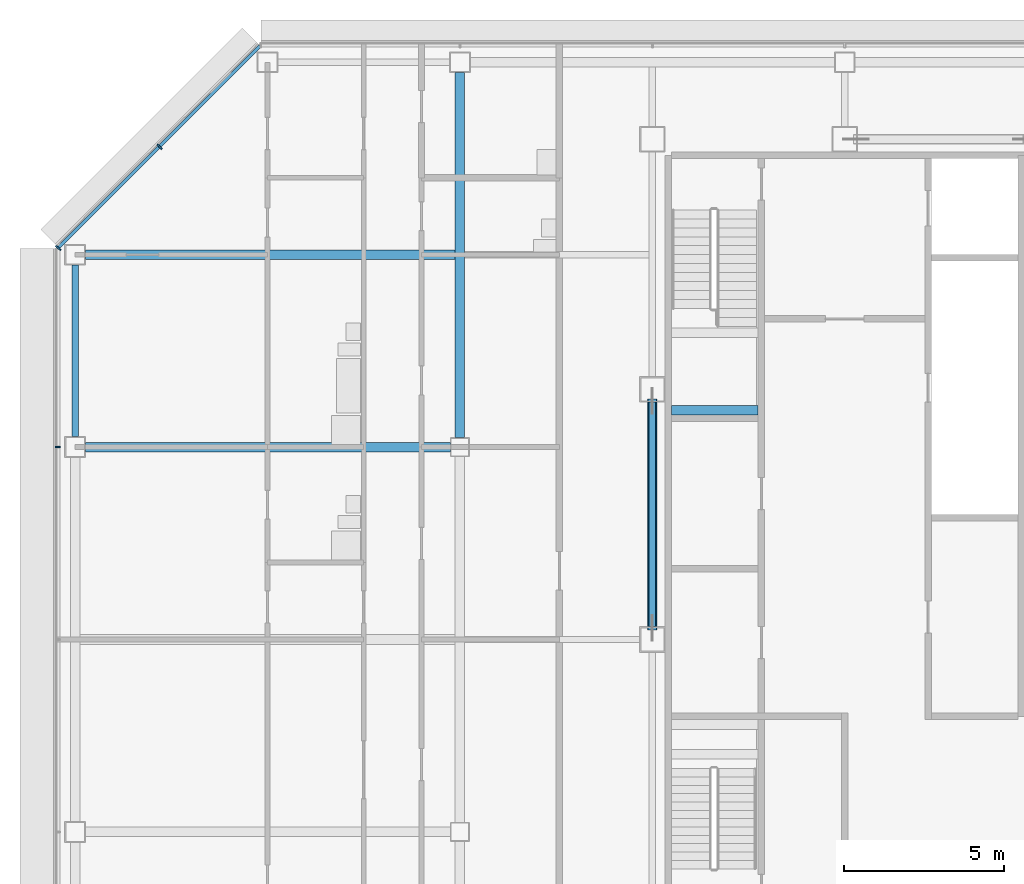
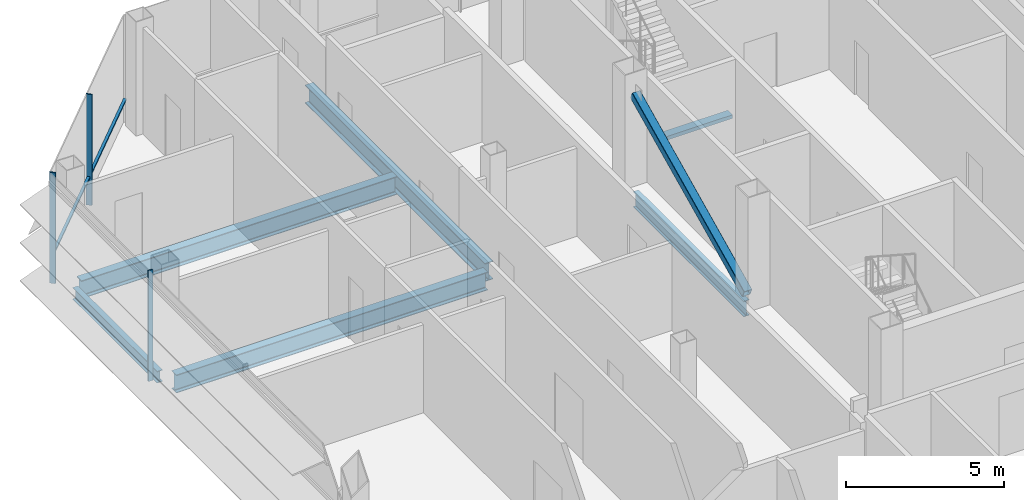
# One storey, part 12 of 30: 6 beams, 5 members, 2 elements without a shape of their own.
"""IFC4 building model written with IfcOpenShell, lengths in metres."""

from ifc_helpers import new_model, si_unit, direction, frame, origin, origin_2d, place, context, subcontext, project, spatial, rectangle, hollow_rectangle, i_section, extrude, material, material_profile, profile_set, type_object, element, aggregate, save


model = new_model("IFC4")

# Units and contexts
model_context = context("Model", 3, precision=1e-05, world=origin(), true_north=direction((0.0, 1.0)))
body_context = subcontext(model_context, "Body", "Model", "MODEL_VIEW")
ifc_project = project(units=[si_unit("LENGTHUNIT", "METRE"), si_unit("AREAUNIT", "SQUARE_METRE"), si_unit("VOLUMEUNIT", "CUBIC_METRE"), si_unit("PLANEANGLEUNIT", "RADIAN"), si_unit("MASSUNIT", "GRAM", prefix="KILO")], contexts=[model_context])

# Site, building, storey
site_placement = place(None, origin())
site = spatial("IfcSite", under=ifc_project, at=site_placement, CompositionType="ELEMENT")
building_placement = place(site_placement, origin())
building = spatial("IfcBuilding", under=site, at=building_placement, Name="Sorahane Residences", CompositionType="ELEMENT")
storey_placement = place(building_placement, frame((0.0, 0.0, 229.800048828125)))
storey = spatial("IfcBuildingStorey", under=building, at=storey_placement, Name="L54", CompositionType="ELEMENT", Elevation=229.800048828125)

# Member
ifc_material_1 = material(Name="Steel Q355B", Category="steel")
ifc_material_profile_1 = material_profile(ifc_material_1, hollow_rectangle(XDim=0.300048828125, YDim=0.300048828125, WallThickness=0.01611328125, InnerFilletRadius=0.008056640625, OuterFilletRadius=0.02392578125, at=origin_2d()), Name="RHS 300x300x16")
ifc_profile_set_1 = profile_set([ifc_material_profile_1], Name="Steel Q355B")
member_type_1 = type_object("IfcMemberType", Name="Core brace RHS 300x300x16 Q355B", PredefinedType="BRACE", material=ifc_profile_set_1)
member_1_placement = place(storey_placement, frame((6.0, 30.361083984375, 0.13134765625), z_axis=(0.0, 0.902028358747, 0.43167677725), x_axis=(-1.0, 0.0, 0.0)))
element("IfcMember", 1, at=member_1_placement, inside=storey, type_object=member_type_1, Name="Core brace L54 x6-2", PredefinedType="BRACE", context=body_context, shape_type="SweptSolid", body=[
    extrude(hollow_rectangle(XDim=0.300048828125, YDim=0.300048828125, WallThickness=0.01611328125, InnerFilletRadius=0.008056640625, OuterFilletRadius=0.02392578125, at=origin_2d()), origin(), (0.0, 0.0, 1.0), 7.8466796875),
])

# Curtain wall, member
ifc_material_2 = material(Name="Dark low-e glass and black anodised aluminium", Category="aluminium")
curtain_wall_type_1 = type_object("IfcCurtainWallType", Name="Curtain wall CW-1 Typical unitised wall", PredefinedType="NOTDEFINED", material=ifc_material_2)
curtain_wall_1_placement = place(storey_placement, origin())
curtain_wall_1 = element("IfcCurtainWall", 2, at=curtain_wall_1_placement, inside=storey, type_object=curtain_wall_type_1, Name="CW-1 curtain wall L54 W1", PredefinedType="NOTDEFINED")
ifc_material_3 = material(Name="Black anodised aluminium", Category="aluminium")
ifc_material_profile_2 = material_profile(ifc_material_3, rectangle(XDim=0.159912109375, YDim=0.050048828125, at=origin_2d()), Name="Curtain wall mullion CW-1 black anodised aluminium 50x160")
ifc_profile_set_2 = profile_set([ifc_material_profile_2], Name="Black anodised aluminium")
member_type_2 = type_object("IfcMemberType", Name="Curtain wall mullion CW-1 black anodised aluminium 50x160", PredefinedType="MULLION", material=ifc_profile_set_2)
member_2_placement = place(storey_placement, frame((-12.5400390625, 36.0, -0.179931640625), z_axis=(0.0, 0.0, 1.0), x_axis=(-1.0, 0.0, 0.0)))
member_2 = element("IfcMember", 3, at=member_2_placement, type_object=member_type_2, Name="CW-1 mullion L54 W1.2", PredefinedType="MULLION", context=body_context, shape_type="SweptSolid", body=[
    extrude(rectangle(XDim=0.159912109375, YDim=0.050048828125, at=origin_2d()), origin(), (0.0, 0.0, 1.0), 4.27978515625),
])
aggregate(curtain_wall_1, [member_2])

# Curtain wall, members
ifc_material_4 = material(Name="Dark low-e glass and black anodised aluminium", Category="aluminium")
curtain_wall_type_2 = type_object("IfcCurtainWallType", Name="Curtain wall CW-2 Chamfer unitised wall", PredefinedType="NOTDEFINED", material=ifc_material_4)
curtain_wall_2_placement = place(storey_placement, origin())
curtain_wall_2 = element("IfcCurtainWall", 4, at=curtain_wall_2_placement, inside=storey, type_object=curtain_wall_type_2, Name="CW-2 curtain wall L54 NW1", PredefinedType="NOTDEFINED")
ifc_material_5 = material(Name="Black anodised aluminium", Category="aluminium")
ifc_material_profile_3 = material_profile(ifc_material_5, rectangle(XDim=0.199951171875, YDim=0.050048828125, at=origin_2d()), Name="Curtain wall mullion CW-2 black anodised aluminium 50x200")
ifc_profile_set_3 = profile_set([ifc_material_profile_3], Name="Black anodised aluminium")
member_type_3 = type_object("IfcMemberType", Name="Curtain wall mullion CW-2 black anodised aluminium 50x200", PredefinedType="MULLION", material=ifc_profile_set_3)
member_3_placement = place(storey_placement, frame((-9.36767578125, 45.36767578125, -0.179931640625), z_axis=(0.0, 0.0, 1.0), x_axis=(-0.707106781187, 0.707106781187, 0.0)))
member_3 = element("IfcMember", 5, at=member_3_placement, type_object=member_type_3, Name="CW-2 mullion L54 NW1.2", PredefinedType="MULLION", context=body_context, shape_type="SweptSolid", body=[
    extrude(rectangle(XDim=0.199951171875, YDim=0.050048828125, at=origin_2d()), origin(), (0.0, 0.0, 1.0), 4.27978515625),
])
member_4_placement = place(storey_placement, frame((-12.525634765625, 42.209716796875, -0.179931640625), z_axis=(0.0, 0.0, 1.0), x_axis=(-0.707106781187, 0.707106781187, 0.0)))
member_4 = element("IfcMember", 6, at=member_4_placement, type_object=member_type_3, Name="CW-2 mullion L54 NW1.3", PredefinedType="MULLION", context=body_context, shape_type="SweptSolid", body=[
    extrude(rectangle(XDim=0.199951171875, YDim=0.050048828125, at=origin_2d()), origin(), (0.0, 0.0, 1.0), 4.27978515625),
])
ifc_material_6 = material(Name="Black anodised aluminium", Category="aluminium")
ifc_material_profile_4 = material_profile(ifc_material_6, rectangle(XDim=0.10009765625, YDim=0.06005859375, at=origin_2d()), Name="Curtain wall transom CW-2 black anodised aluminium 60x100")
ifc_profile_set_4 = profile_set([ifc_material_profile_4], Name="Black anodised aluminium")
member_type_4 = type_object("IfcMemberType", Name="Curtain wall transom CW-2 black anodised aluminium 60x100", PredefinedType="USERDEFINED", material=ifc_profile_set_4)
member_5_placement = place(storey_placement, frame((-6.234375, 48.51513671875, 0.89990234375), z_axis=(-0.707106781187, -0.707106781187, 0.0), x_axis=(0.707106781187, -0.707106781187, 0.0)))
member_5 = element("IfcMember", 7, at=member_5_placement, type_object=member_type_4, Name="CW-2 transom L54 NW1", ObjectType="TRANSOM", PredefinedType="USERDEFINED", context=body_context, shape_type="SweptSolid", body=[
    extrude(rectangle(XDim=0.10009765625, YDim=0.06005859375, at=origin_2d()), origin(), (0.0, 0.0, 1.0), 8.88232421875),
])
aggregate(curtain_wall_2, [member_3, member_4, member_5])

# Beams
ifc_material_7 = material(Name="Concrete C40", Category="concrete")
ifc_material_profile_5 = material_profile(ifc_material_7, rectangle(XDim=0.300048828125, YDim=0.139892578125, at=origin_2d()), Name="300x140")
ifc_profile_set_5 = profile_set([ifc_material_profile_5], Name="Concrete C40")
beam_type_1 = type_object("IfcBeamType", Name="RC landing beam 300 x 140 Concrete C40", PredefinedType="BEAM", material=ifc_profile_set_5)
beam_1_placement = place(storey_placement, frame((6.60009765625, 37.14990234375, 1.7607421875), z_axis=(1.0, 0.0, 0.0), x_axis=(0.0, 1.0, 0.0)))
element("IfcBeam", 8, at=beam_1_placement, inside=storey, type_object=beam_type_1, Name="Landing beam", PredefinedType="BEAM", context=body_context, shape_type="SweptSolid", body=[
    extrude(rectangle(XDim=0.300048828125, YDim=0.139892578125, at=origin_2d()), origin(), (0.0, 0.0, 1.0), 2.699951171875),
])
ifc_material_8 = material(Name="Steel Q355B", Category="steel")
ifc_material_profile_6 = material_profile(ifc_material_8, i_section(OverallWidth=0.199951171875, OverallDepth=0.449951171875, WebThickness=0.009033203125, FlangeThickness=0.013916015625, FilletRadius=0.02001953125, at=origin_2d()), Name="HN 450x200x9x14")
ifc_profile_set_6 = profile_set([ifc_material_profile_6], Name="Steel Q355B")
beam_type_2 = type_object("IfcBeamType", Name="Steel floor beam HN 450x200x9x14 Q355B", PredefinedType="BEAM", material=ifc_profile_set_6)
beam_2_placement = place(storey_placement, frame((-12.0, 36.324951171875, -0.405029296875), z_axis=(0.0, 1.0, 0.0), x_axis=(-1.0, 0.0, 0.0)))
element("IfcBeam", 9, at=beam_2_placement, inside=storey, type_object=beam_type_2, Name="Beam L54 023", PredefinedType="BEAM", context=body_context, shape_type="SweptSolid", body=[
    extrude(i_section(OverallWidth=0.199951171875, OverallDepth=0.449951171875, WebThickness=0.009033203125, FlangeThickness=0.013916015625, FilletRadius=0.02001953125, at=origin_2d()), origin(), (0.0, 0.0, 1.0), 5.35009765625),
])
ifc_material_9 = material(Name="Steel Q355B", Category="steel")
ifc_material_profile_7 = material_profile(ifc_material_9, i_section(OverallWidth=0.199951171875, OverallDepth=0.60009765625, WebThickness=0.010986328125, FlangeThickness=0.01708984375, FilletRadius=0.02392578125, at=origin_2d()), Name="HN 600x200x11x17")
ifc_profile_set_7 = profile_set([ifc_material_profile_7], Name="Steel Q355B")
beam_type_3 = type_object("IfcBeamType", Name="Steel floor beam HN 600x200x11x17 Q355B", PredefinedType="BEAM", material=ifc_profile_set_7)
beam_3_placement = place(storey_placement, frame((6.0, 30.39990234375, -0.47998046875), z_axis=(0.0, 1.0, 0.0), x_axis=(-1.0, 0.0, 0.0)))
element("IfcBeam", 10, at=beam_3_placement, inside=storey, type_object=beam_type_3, Name="Beam L54 031", PredefinedType="BEAM", context=body_context, shape_type="SweptSolid", body=[
    extrude(i_section(OverallWidth=0.199951171875, OverallDepth=0.60009765625, WebThickness=0.010986328125, FlangeThickness=0.01708984375, FilletRadius=0.02392578125, at=origin_2d()), origin(), (0.0, 0.0, 1.0), 7.0),
])
ifc_material_10 = material(Name="Steel Q355B", Category="steel")
ifc_material_profile_8 = material_profile(ifc_material_10, i_section(OverallWidth=0.300048828125, OverallDepth=0.699951171875, WebThickness=0.012939453125, FlangeThickness=0.02392578125, FilletRadius=0.028076171875, at=origin_2d()), Name="HN 700x300x13x24")
ifc_profile_set_8 = profile_set([ifc_material_profile_8], Name="Steel Q355B")
beam_type_4 = type_object("IfcBeamType", Name="Steel floor beam HN 700x300x13x24 Q355B", PredefinedType="BEAM", material=ifc_profile_set_8)
for number, where, z_axis, x_axis, name in (
    (11, (-11.675048828125, 36.0, -0.530029296875), (1.0, 0.0, 0.0), (0.0, 1.0, 0.0), "Beam L54 013"),
    (12, (0.0, 36.300048828125, -0.530029296875), (0.0, 1.0, 0.0), (-1.0, 0.0, 0.0), "Beam L54 027"),
):
    element("IfcBeam", number, at=place(storey_placement, frame(where, z_axis=z_axis, x_axis=x_axis)), inside=storey, type_object=beam_type_4, Name=name, PredefinedType="BEAM", context=body_context, shape_type="SweptSolid", body=[
        extrude(i_section(OverallWidth=0.300048828125, OverallDepth=0.699951171875, WebThickness=0.012939453125, FlangeThickness=0.02392578125, FilletRadius=0.028076171875, at=origin_2d()), origin(), (0.0, 0.0, 1.0), 11.375),
    ])
beam_4_placement = place(storey_placement, frame((-11.675048828125, 42.0, -0.530029296875), z_axis=(1.0, 0.0, 0.0), x_axis=(0.0, 1.0, 0.0)))
element("IfcBeam", 13, at=beam_4_placement, inside=storey, type_object=beam_type_4, Name="Beam L54 087", PredefinedType="BEAM", context=body_context, shape_type="SweptSolid", body=[
    extrude(i_section(OverallWidth=0.300048828125, OverallDepth=0.699951171875, WebThickness=0.012939453125, FlangeThickness=0.02392578125, FilletRadius=0.028076171875, at=origin_2d()), origin(), (0.0, 0.0, 1.0), 11.525146484375),
])

save(model, "model.ifc")
